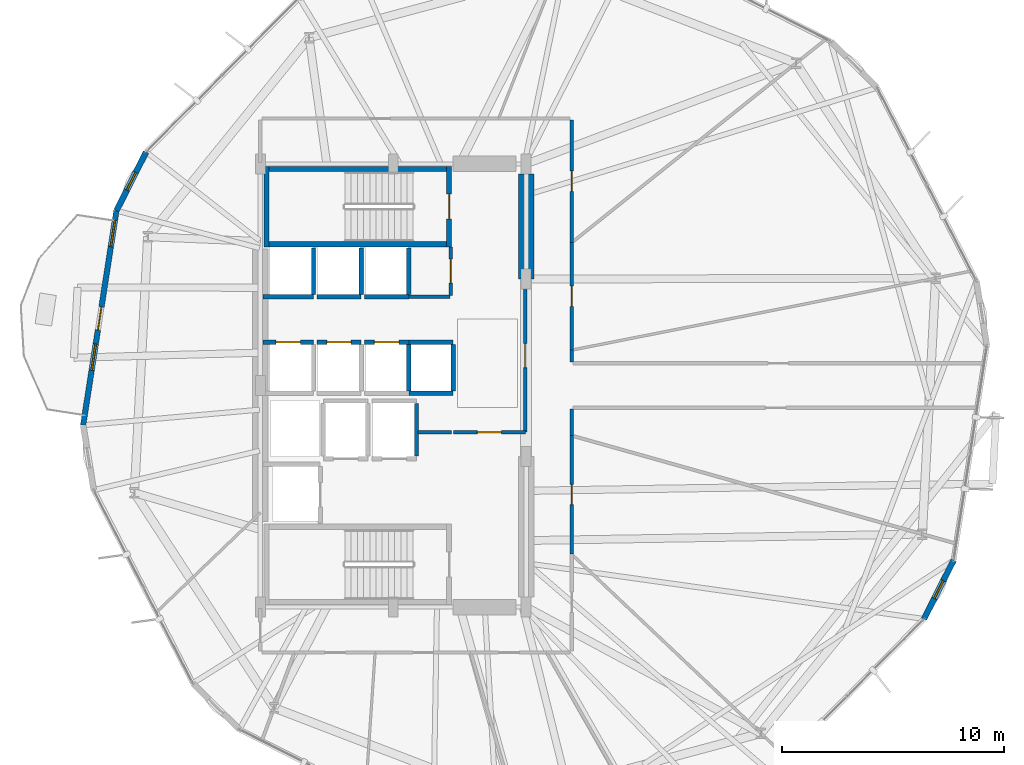
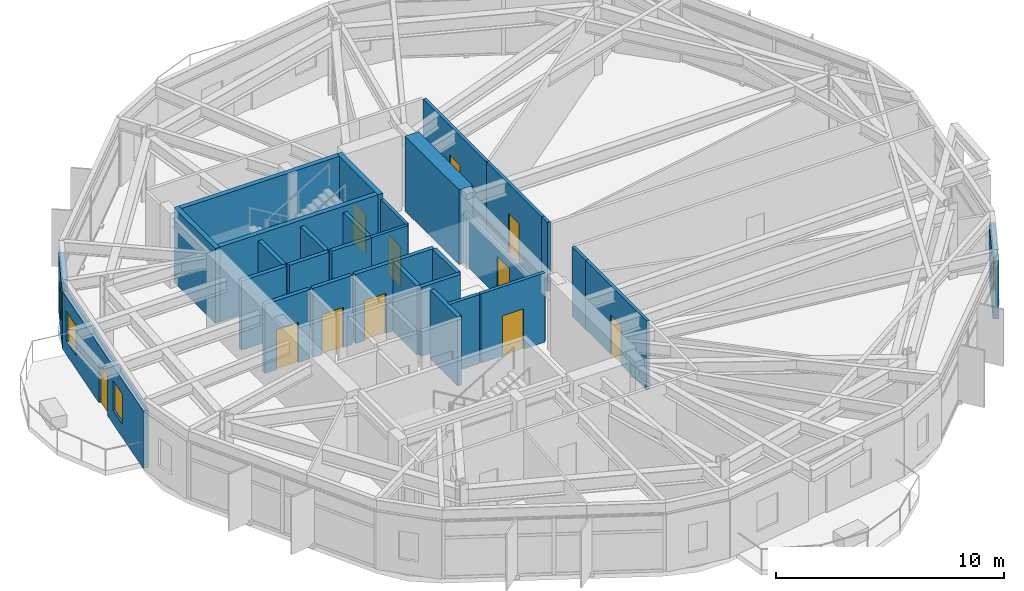
# One storey, part 19 of 23: 32 walls, 11 doors, 4 windows, 15 openings.
"""IFC4 building model written with IfcOpenShell, lengths in metres."""

import ifcopenshell
import ifcopenshell.guid

model = None  # the IFC model being written
_history = None  # IfcOwnerHistory: only IFC2X3 demands one
_inside = {}  # id of a spatial element -> (the spatial element, [elements in it])
_under = {}  # id of a project, library or spatial element -> (it, [spatial elements below it])
_declared = {}  # id of a project -> (the project, [libraries it declares])
_typed = {}  # id of a type object -> (the type object, [elements of that type])
_made_of = {}  # id of a material, layer set ... -> (it, [elements and type objects made of it])


def new_model(schema):
    """Start an empty IFC model of exactly this schema.

    Asked for "IFC4X3", IfcOpenShell would pick the latest addendum, in which some entities
    have other attributes; the version numbers below select the first issue.
    IFC2X3 requires an IfcOwnerHistory on every rooted entity: one is made here for all.
    """
    global model, _history
    if schema == "IFC4X3":
        model = ifcopenshell.file(schema_version=(4, 3, 0, 0))
    else:
        model = ifcopenshell.file(schema=schema)
    _inside.clear()
    _under.clear()
    _declared.clear()
    _typed.clear()
    _made_of.clear()
    _history = None
    if model.schema == "IFC2X3":
        org = make("IfcOrganization", Name="unknown")
        user = make(
            "IfcPersonAndOrganization",
            ThePerson=make("IfcPerson", FamilyName="unknown"),
            TheOrganization=org,
        )
        app = make(
            "IfcApplication",
            ApplicationDeveloper=org,
            Version="unknown",
            ApplicationFullName="unknown",
            ApplicationIdentifier="unknown",
        )
        _history = make(
            "IfcOwnerHistory",
            OwningUser=user,
            OwningApplication=app,
            ChangeAction="ADDED",
            CreationDate=0,
        )
    return model


def make(cls, **values):
    """One entity of the class cls with the attributes given. An attribute that is None is left unset."""
    return model.create_entity(
        cls, **{name: value for name, value in values.items() if value is not None}
    )


def rooted(cls, **values):
    """An entity with a GlobalId (a new one), such as an element, a storey or a relation."""
    return make(cls, GlobalId=ifcopenshell.guid.new(), OwnerHistory=_history, **values)


def si_unit(unit_type, name, prefix=None):
    """IfcSIUnit, for example si_unit("LENGTHUNIT", "METRE", prefix="MILLI")."""
    return make("IfcSIUnit", UnitType=unit_type, Prefix=prefix, Name=name)


def assignment(units):
    """IfcUnitAssignment: the units of a project."""
    return None if units is None else make("IfcUnitAssignment", Units=units)


def point(xyz):
    """IfcCartesianPoint."""
    return None if xyz is None else make("IfcCartesianPoint", Coordinates=xyz)


def direction(xyz):
    """IfcDirection."""
    return None if xyz is None else make("IfcDirection", DirectionRatios=xyz)


def frame(location, z_axis=None, x_axis=None):
    """IfcAxis2Placement3D, a coordinate frame: its origin and axes. An axis left out is left unset."""
    return make(
        "IfcAxis2Placement3D",
        Location=point(location),
        Axis=direction(z_axis),
        RefDirection=direction(x_axis),
    )


def frame_2d(location, x_axis=None):
    """IfcAxis2Placement2D, a coordinate frame in the plane: its origin and x axis."""
    return make(
        "IfcAxis2Placement2D", Location=point(location), RefDirection=direction(x_axis)
    )


def origin():
    """The frame at (0, 0, 0) with its axes left unset."""
    return frame((0.0, 0.0, 0.0))


def place(relative_to, where):
    """IfcLocalPlacement: puts the frame where relative to a parent placement (None: the world)."""
    return make(
        "IfcLocalPlacement", PlacementRelTo=relative_to, RelativePlacement=where
    )


def context(
    kind, dimensions, precision=None, world=None, true_north=None, identifier=None
):
    """IfcGeometricRepresentationContext, for example the 3D "Model" context."""
    return make(
        "IfcGeometricRepresentationContext",
        ContextIdentifier=identifier,
        ContextType=kind,
        CoordinateSpaceDimension=dimensions,
        Precision=precision,
        WorldCoordinateSystem=world,
        TrueNorth=true_north,
    )


def subcontext(parent, identifier, kind, view, scale=None):
    """IfcGeometricRepresentationSubContext, for example "Body" below "Model"."""
    return make(
        "IfcGeometricRepresentationSubContext",
        ContextIdentifier=identifier,
        ContextType=kind,
        ParentContext=parent,
        TargetScale=scale,
        TargetView=view,
    )


def project(units=None, contexts=None):
    """IfcProject with its units and contexts."""
    return rooted(
        "IfcProject",
        Name="project",
        RepresentationContexts=contexts,
        UnitsInContext=assignment(units),
    )


def spatial(cls, under=None, at=None, **own):
    """A site, building, storey or space (cls), placed at a placement, below another one or the project."""
    s = rooted(cls, ObjectPlacement=at, **own)
    if under is not None:
        _under.setdefault(under.id(), (under, []))[1].append(s)
    return s


def profile(cls, at=None, kind="AREA", **sizes):
    """A parametric profile (cls). Its sizes go by their IFC names, for example OverallWidth=200.0."""
    return make(cls, ProfileType=kind, Position=at, **sizes)


def rectangle(**sizes):
    """IfcRectangleProfileDef."""
    return profile("IfcRectangleProfileDef", **sizes)


def extrude(swept, where, along, depth):
    """IfcExtrudedAreaSolid: the profile swept, set in the frame where, extruded along a direction by depth."""
    return make(
        "IfcExtrudedAreaSolid",
        SweptArea=swept,
        Position=where,
        ExtrudedDirection=direction(along),
        Depth=depth,
    )


def shape(context_of_items, identifier, shape_type, items):
    """IfcShapeRepresentation: the items that make up one representation, for example the "Body"."""
    return make(
        "IfcShapeRepresentation",
        ContextOfItems=context_of_items,
        RepresentationIdentifier=identifier,
        RepresentationType=shape_type,
        Items=items,
    )


def material(Name=None, Category=None):
    """IfcMaterial."""
    return make("IfcMaterial", Name=Name, Category=Category)


def layer(
    of_material, thickness, ventilated=None, Name=None, Category=None, Priority=None
):
    """IfcMaterialLayer: one layer of a wall or slab, of a material (None: an air gap)."""
    return make(
        "IfcMaterialLayer",
        Material=of_material,
        LayerThickness=thickness,
        IsVentilated=ventilated,
        Name=Name,
        Category=Category,
        Priority=Priority,
    )


def layer_set(layers, Name=None):
    """IfcMaterialLayerSet."""
    return make("IfcMaterialLayerSet", MaterialLayers=layers, LayerSetName=Name)


def made_of(thing, what):
    """Note that an element or type object is made of a material, layer set ...; save() writes the relation."""
    if what is not None:
        _made_of.setdefault(what.id(), (what, []))[1].append(thing)
    return thing


def type_object(cls, material=None, **own):
    """A type object (cls), such as IfcWallType, which elements share."""
    return made_of(rooted(cls, **own), material)


def element(
    cls,
    number,
    at=None,
    inside=None,
    cuts=None,
    type_object=None,
    material=None,
    context=None,
    identifier="Body",
    shape_type=None,
    held_by="IfcProductDefinitionShape",
    body=None,
    shapes=None,
    **own,
):
    """One element of the class cls, such as IfcWall. Its Tag is "e" and its number.

    at: its placement. inside: the storey or other place that contains it. cuts: it is an
    opening in that element (IfcRelVoidsElement). A single representation is given by context,
    identifier, shape_type and body (its items); several are given by shapes. held_by: the class
    of the entity that holds the representations. save() writes the other relations.
    """
    e = rooted(cls, Tag="e%d" % number, ObjectPlacement=at, **own)
    if body is not None:
        shapes = [shape(context, identifier, shape_type, body)]
    if shapes is not None:
        e.Representation = make(held_by, Representations=shapes)
    if inside is not None:
        _inside.setdefault(inside.id(), (inside, []))[1].append(e)
    if cuts is not None:
        rooted(
            "IfcRelVoidsElement", RelatingBuildingElement=cuts, RelatedOpeningElement=e
        )
    if type_object is not None:
        _typed.setdefault(type_object.id(), (type_object, []))[1].append(e)
    return made_of(e, material)


def fill(opening, filler):
    """IfcRelFillsElement: the door or window that sits in an opening."""
    return rooted(
        "IfcRelFillsElement",
        RelatingOpeningElement=opening,
        RelatedBuildingElement=filler,
    )


def aggregate(whole, parts):
    """IfcRelAggregates: a whole, such as a stair, and the parts it consists of."""
    return rooted("IfcRelAggregates", RelatingObject=whole, RelatedObjects=parts)


def save(model, path):
    """Write the relations noted so far, then the file.

    IfcRelAggregates (storeys below a building ...), IfcRelContainedInSpatialStructure (elements
    in a storey), IfcRelDefinesByType, IfcRelAssociatesMaterial and IfcRelDeclares: one each for
    every whole, place, type object, material and project.
    """
    for whole, parts in _under.values():
        aggregate(whole, parts)
    for where, things in _inside.values():
        rooted(
            "IfcRelContainedInSpatialStructure",
            RelatedElements=things,
            RelatingStructure=where,
        )
    for kind, things in _typed.values():
        rooted("IfcRelDefinesByType", RelatedObjects=things, RelatingType=kind)
    for what, things in _made_of.values():
        rooted("IfcRelAssociatesMaterial", RelatedObjects=things, RelatingMaterial=what)
    for by, libraries in _declared.values():
        rooted("IfcRelDeclares", RelatingContext=by, RelatedDefinitions=libraries)
    model.write(path)


model = new_model("IFC4")

# Units and contexts
model_context = context("Model", 3, precision=1e-05, world=origin(), true_north=direction((0.0, 1.0)))
body_context = subcontext(model_context, "Body", "Model", "MODEL_VIEW")
ifc_project = project(units=[si_unit("LENGTHUNIT", "METRE"), si_unit("AREAUNIT", "SQUARE_METRE"), si_unit("VOLUMEUNIT", "CUBIC_METRE"), si_unit("PLANEANGLEUNIT", "RADIAN"), si_unit("MASSUNIT", "GRAM", prefix="KILO")], contexts=[model_context])

# Site, building, storey
site_placement = place(None, origin())
site = spatial("IfcSite", under=ifc_project, at=site_placement, CompositionType="ELEMENT")
building_placement = place(site_placement, origin())
building = spatial("IfcBuilding", under=site, at=building_placement, Name="Soratama Intermodal Tower", CompositionType="ELEMENT")
storey_placement = place(building_placement, frame((0.0, 0.0, 62.60009765625)))
storey = spatial("IfcBuildingStorey", under=building, at=storey_placement, Name="L14", CompositionType="ELEMENT", Elevation=62.60009765625)

# Wall, openings, door, windows
ifc_material_1 = material(Name="Concrete f'c 42 MPa", Category="concrete")
ifc_layer_1 = layer(ifc_material_1, 0.25)
ifc_layer_set_1 = layer_set([ifc_layer_1], Name="Concrete f'c 42 MPa")
wall_type_1 = type_object("IfcWallType", Name="EW-BAL-250", PredefinedType="SOLIDWALL", material=ifc_layer_set_1)
wall_1_placement = place(storey_placement, frame((26.105712890625, 32.890380859375, 0.0), z_axis=(0.0, 0.0, 1.0), x_axis=(-0.153311325357, -0.988177938186, 0.0)))
wall_1 = element("IfcWall", 1, at=wall_1_placement, inside=storey, type_object=wall_type_1, Name="L14 Terrace Wall F05", PredefinedType="SOLIDWALL", context=body_context, shape_type="SweptSolid", body=[
    extrude(rectangle(XDim=9.800048828125, YDim=0.25, at=frame_2d((4.89990234375, 0.0))), origin(), (0.0, 0.0, 1.0), 3.078857421875),
])
opening_1_placement = place(wall_1_placement, frame((4.39990234375, 0.0, 0.0)))
opening_1 = element("IfcOpeningElement", 2, at=opening_1_placement, cuts=wall_1, Name="Opening ED-5", PredefinedType="OPENING", context=body_context, shape_type="SweptSolid", body=[
    extrude(rectangle(XDim=1.050048828125, YDim=2.14990234375, at=frame_2d((0.52490234375, 1.074951171875))), frame((0.0, 0.135009765625, 0.0), z_axis=(0.0, -1.0, 0.0), x_axis=(1.0, 0.0, 0.0)), (0.0, 0.0, 1.0), 0.27001953125),
])
opening_2_placement = place(wall_1_placement, frame((0.43994140625, 0.0, 0.719970703125)))
opening_2 = element("IfcOpeningElement", 3, at=opening_2_placement, cuts=wall_1, Name="Opening WN-2", PredefinedType="OPENING", context=body_context, shape_type="SweptSolid", body=[
    extrude(rectangle(XDim=1.199951171875, YDim=1.60009765625, at=frame_2d((0.60009765625, 0.800048828125))), frame((0.0, 0.135009765625, 0.0), z_axis=(0.0, -1.0, 0.0), x_axis=(1.0, 0.0, 0.0)), (0.0, 0.0, 1.0), 0.27001953125),
])
opening_3_placement = place(wall_1_placement, frame((6.08984375, 0.0, 0.719970703125)))
opening_3 = element("IfcOpeningElement", 4, at=opening_3_placement, cuts=wall_1, Name="Opening WN-2", PredefinedType="OPENING", context=body_context, shape_type="SweptSolid", body=[
    extrude(rectangle(XDim=1.199951171875, YDim=1.60009765625, at=frame_2d((0.60009765625, 0.800048828125))), frame((0.0, 0.135009765625, 0.0), z_axis=(0.0, -1.0, 0.0), x_axis=(1.0, 0.0, 0.0)), (0.0, 0.0, 1.0), 0.27001953125),
])
ifc_material_2 = material(Name="Double-glazed aluminium door", Category="aluminium")
door_type_1 = type_object("IfcDoorType", Name="DR-BAL-1050", OperationType="NOTDEFINED", PredefinedType="DOOR", material=ifc_material_2)
door_1_placement = place(opening_1_placement, origin())
door_1 = element("IfcDoor", 5, at=door_1_placement, inside=storey, type_object=door_type_1, Name="L14 Balcony Door F05", OperationType="SINGLE_SWING_LEFT", OverallHeight=2.14990234375, OverallWidth=1.050048828125, PredefinedType="DOOR", context=body_context, shape_type="SweptSolid", body=[
    extrude(rectangle(XDim=1.050048828125, YDim=2.14990234375, at=frame_2d((0.52490234375, 1.074951171875))), frame((0.0, 0.02490234375, 0.0), z_axis=(0.0, -1.0, 0.0), x_axis=(1.0, 0.0, 0.0)), (0.0, 0.0, 1.0), 0.050048828125),
])
fill(opening_1, door_1)
ifc_material_3 = material(Name="Double-glazed aluminium window", Category="aluminium")
window_type_1 = type_object("IfcWindowType", Name="WN-FAC-1200", PartitioningType="SINGLE_PANEL", PredefinedType="WINDOW", material=ifc_material_3)
window_1_placement = place(opening_2_placement, origin())
window_1 = element("IfcWindow", 6, at=window_1_placement, inside=storey, type_object=window_type_1, Name="L14 Window A F05", OverallHeight=1.60009765625, OverallWidth=1.199951171875, PartitioningType="SINGLE_PANEL", PredefinedType="WINDOW", context=body_context, shape_type="SweptSolid", body=[
    extrude(rectangle(XDim=1.199951171875, YDim=1.60009765625, at=frame_2d((0.60009765625, 0.800048828125))), frame((0.0, 0.030029296875, 0.0), z_axis=(0.0, -1.0, 0.0), x_axis=(1.0, 0.0, 0.0)), (0.0, 0.0, 1.0), 0.06005859375),
])
fill(opening_2, window_1)
window_2_placement = place(opening_3_placement, origin())
window_2 = element("IfcWindow", 7, at=window_2_placement, inside=storey, type_object=window_type_1, Name="L14 Window B F05", OverallHeight=1.60009765625, OverallWidth=1.199951171875, PartitioningType="SINGLE_PANEL", PredefinedType="WINDOW", context=body_context, shape_type="SweptSolid", body=[
    extrude(rectangle(XDim=1.199951171875, YDim=1.60009765625, at=frame_2d((0.60009765625, 0.800048828125))), frame((0.0, 0.030029296875, 0.0), z_axis=(0.0, -1.0, 0.0), x_axis=(1.0, 0.0, 0.0)), (0.0, 0.0, 1.0), 0.06005859375),
])
fill(opening_3, window_2)

# Wall, opening, window
ifc_material_4 = material(Name="Concrete f'c 42 MPa", Category="concrete")
ifc_layer_2 = layer(ifc_material_4, 0.27001953125)
ifc_layer_set_2 = layer_set([ifc_layer_2], Name="Concrete f'c 42 MPa")
wall_type_2 = type_object("IfcWallType", Name="EW-CRN-270", PredefinedType="SOLIDWALL", material=ifc_layer_set_2)
wall_2_placement = place(storey_placement, frame((27.4443359375, 35.537841796875, 0.0), z_axis=(0.0, 0.0, 1.0), x_axis=(-0.451225097824, -0.892410169762, 0.0)))
wall_2 = element("IfcWall", 8, at=wall_2_placement, inside=storey, type_object=wall_type_2, Name="L14 Corner Closure Wall 04", PredefinedType="SOLIDWALL", context=body_context, shape_type="SweptSolid", body=[
    extrude(rectangle(XDim=2.966552734375, YDim=0.27001953125, at=frame_2d((1.4833984375, 0.0))), origin(), (0.0, 0.0, 1.0), 3.078857421875),
])
opening_4_placement = place(wall_2_placement, frame((1.033203125, 0.0, 0.75)))
opening_4 = element("IfcOpeningElement", 9, at=opening_4_placement, cuts=wall_2, Name="Opening WN-6", PredefinedType="OPENING", context=body_context, shape_type="SweptSolid", body=[
    extrude(rectangle(XDim=0.89990234375, YDim=1.5, at=frame_2d((0.449951171875, 0.75))), frame((0.0, 0.14501953125, 0.0), z_axis=(0.0, -1.0, 0.0), x_axis=(1.0, 0.0, 0.0)), (0.0, 0.0, 1.0), 0.2900390625),
])
ifc_material_5 = material(Name="Double-glazed aluminium window", Category="aluminium")
window_type_2 = type_object("IfcWindowType", Name="WN-FAC-900", PartitioningType="SINGLE_PANEL", PredefinedType="WINDOW", material=ifc_material_5)
window_3_placement = place(opening_4_placement, origin())
window_3 = element("IfcWindow", 10, at=window_3_placement, inside=storey, type_object=window_type_2, Name="L14 Corner Window 04", OverallHeight=1.5, OverallWidth=0.89990234375, PartitioningType="SINGLE_PANEL", PredefinedType="WINDOW", context=body_context, shape_type="SweptSolid", body=[
    extrude(rectangle(XDim=0.89990234375, YDim=1.5, at=frame_2d((0.449951171875, 0.75))), frame((0.0, 0.030029296875, 0.0), z_axis=(0.0, -1.0, 0.0), x_axis=(1.0, 0.0, 0.0)), (0.0, 0.0, 1.0), 0.06005859375),
])
fill(opening_4, window_3)

wall_3_placement = place(storey_placement, frame((62.5556640625, 14.462158203125, 0.0), z_axis=(0.0, 0.0, 1.0), x_axis=(0.451225097824, 0.892410169762, 0.0)))
wall_3 = element("IfcWall", 11, at=wall_3_placement, inside=storey, type_object=wall_type_2, Name="L14 Corner Closure Wall 09", PredefinedType="SOLIDWALL", context=body_context, shape_type="SweptSolid", body=[
    extrude(rectangle(XDim=2.966552734375, YDim=0.27001953125, at=frame_2d((1.4833984375, 0.0))), origin(), (0.0, 0.0, 1.0), 3.078857421875),
])
opening_5_placement = place(wall_3_placement, frame((1.033203125, 0.0, 0.75)))
opening_5 = element("IfcOpeningElement", 12, at=opening_5_placement, cuts=wall_3, Name="Opening WN-6", PredefinedType="OPENING", context=body_context, shape_type="SweptSolid", body=[
    extrude(rectangle(XDim=0.89990234375, YDim=1.5, at=frame_2d((0.449951171875, 0.75))), frame((0.0, 0.14501953125, 0.0), z_axis=(0.0, -1.0, 0.0), x_axis=(1.0, 0.0, 0.0)), (0.0, 0.0, 1.0), 0.2900390625),
])
window_4_placement = place(opening_5_placement, origin())
window_4 = element("IfcWindow", 13, at=window_4_placement, inside=storey, type_object=window_type_2, Name="L14 Corner Window 09", OverallHeight=1.5, OverallWidth=0.89990234375, PartitioningType="SINGLE_PANEL", PredefinedType="WINDOW", context=body_context, shape_type="SweptSolid", body=[
    extrude(rectangle(XDim=0.89990234375, YDim=1.5, at=frame_2d((0.449951171875, 0.75))), frame((0.0, 0.030029296875, 0.0), z_axis=(0.0, -1.0, 0.0), x_axis=(1.0, 0.0, 0.0)), (0.0, 0.0, 1.0), 0.06005859375),
])
fill(opening_5, window_4)

# Wall, opening, door
ifc_material_6 = material(Name="Fire-rated gypsum stud partition", Category="concrete")
ifc_layer_3 = layer(ifc_material_6, 0.14990234375)
ifc_layer_set_3 = layer_set([ifc_layer_3], Name="Fire-rated gypsum stud partition")
wall_type_3 = type_object("IfcWallType", Name="IW-PART-R150", PredefinedType="PARTITIONING", material=ifc_layer_set_3)
wall_4_placement = place(storey_placement, frame((44.56005859375, 29.800048828125, 0.0), z_axis=(0.0, 0.0, 1.0), x_axis=(0.0, -1.0, 0.0)))
wall_4 = element("IfcWall", 14, at=wall_4_placement, inside=storey, type_object=wall_type_3, Name="L14 Partition W-L14-TP011", PredefinedType="PARTITIONING", context=body_context, shape_type="SweptSolid", body=[
    extrude(rectangle(XDim=6.91015625, YDim=0.14990234375, at=frame_2d((3.455078125, 0.0))), origin(), (0.0, 0.0, 1.0), 2.739990234375),
])
opening_6_placement = place(wall_4_placement, frame((2.9150390625, 0.0, 0.0)))
opening_6 = element("IfcOpeningElement", 15, at=opening_6_placement, cuts=wall_4, Name="Opening ID-1", PredefinedType="OPENING", context=body_context, shape_type="SweptSolid", body=[
    extrude(rectangle(XDim=1.080078125, YDim=2.14990234375, at=frame_2d((0.5400390625, 1.074951171875))), frame((0.0, 0.0849609375, 0.0), z_axis=(0.0, -1.0, 0.0), x_axis=(1.0, 0.0, 0.0)), (0.0, 0.0, 1.0), 0.169921875),
])
ifc_material_7 = material(Name="Solid hardwood acoustic door", Category="wood")
door_type_2 = type_object("IfcDoorType", Name="DR-LOB-FD60", OperationType="NOTDEFINED", PredefinedType="DOOR", material=ifc_material_7)
door_2_placement = place(opening_6_placement, origin())
door_2 = element("IfcDoor", 16, at=door_2_placement, inside=storey, type_object=door_type_2, Name="L14 Door D-L14-TP004", OperationType="SINGLE_SWING_LEFT", OverallHeight=2.14990234375, OverallWidth=1.080078125, PredefinedType="DOOR", context=body_context, shape_type="SweptSolid", body=[
    extrude(rectangle(XDim=1.080078125, YDim=2.14990234375, at=frame_2d((0.5400390625, 1.074951171875))), frame((0.0, 0.02490234375, 0.0), z_axis=(0.0, -1.0, 0.0), x_axis=(1.0, 0.0, 0.0)), (0.0, 0.0, 1.0), 0.050048828125),
])
fill(opening_6, door_2)

wall_5_placement = place(storey_placement, frame((46.64990234375, 36.97998046875, 0.0), z_axis=(0.0, 0.0, 1.0), x_axis=(0.0, -1.0, 0.0)))
wall_5 = element("IfcWall", 17, at=wall_5_placement, inside=storey, type_object=wall_type_3, Name="L14 Partition W-L14-TP014", PredefinedType="PARTITIONING", context=body_context, shape_type="SweptSolid", body=[
    extrude(rectangle(XDim=5.5380859375, YDim=0.14990234375, at=frame_2d((2.76904296875, 0.0))), origin(), (0.0, 0.0, 1.0), 3.699951171875),
])
opening_7_placement = place(wall_5_placement, frame((2.2939453125, 0.0, 0.0)))
opening_7 = element("IfcOpeningElement", 18, at=opening_7_placement, cuts=wall_5, Name="Opening ID-6", PredefinedType="OPENING", context=body_context, shape_type="SweptSolid", body=[
    extrude(rectangle(XDim=0.919921875, YDim=2.1201171875, at=frame_2d((0.4599609375, 1.06005859375))), frame((0.0, 0.0849609375, 0.0), z_axis=(0.0, -1.0, 0.0), x_axis=(1.0, 0.0, 0.0)), (0.0, 0.0, 1.0), 0.169921875),
])
ifc_material_8 = material(Name="Solid hardwood acoustic door", Category="wood")
door_type_3 = type_object("IfcDoorType", Name="DR-ROOM-920", OperationType="NOTDEFINED", PredefinedType="DOOR", material=ifc_material_8)
door_3_placement = place(opening_7_placement, origin())
door_3 = element("IfcDoor", 19, at=door_3_placement, inside=storey, type_object=door_type_3, Name="L14 Door D-L14-TP005", OperationType="SINGLE_SWING_RIGHT", OverallHeight=2.1201171875, OverallWidth=0.919921875, PredefinedType="DOOR", context=body_context, shape_type="SweptSolid", body=[
    extrude(rectangle(XDim=0.919921875, YDim=2.1201171875, at=frame_2d((0.4599609375, 1.06005859375))), frame((0.0, 0.02490234375, 0.0), z_axis=(0.0, -1.0, 0.0), x_axis=(1.0, 0.0, 0.0)), (0.0, 0.0, 1.0), 0.050048828125),
])
fill(opening_7, door_3)

wall_6_placement = place(storey_placement, frame((46.64990234375, 22.738037109375, 0.0), z_axis=(0.0, 0.0, 1.0), x_axis=(0.0, -1.0, 0.0)))
wall_6 = element("IfcWall", 20, at=wall_6_placement, inside=storey, type_object=wall_type_3, Name="L14 Partition W-L14-TP015", PredefinedType="PARTITIONING", context=body_context, shape_type="SweptSolid", body=[
    extrude(rectangle(XDim=5.35302734375, YDim=0.14990234375, at=frame_2d((2.676513671875, 0.0))), origin(), (0.0, 0.0, 1.0), 3.699951171875),
])
opening_8_placement = place(wall_6_placement, frame((2.200927734375, 0.0, 0.0)))
opening_8 = element("IfcOpeningElement", 21, at=opening_8_placement, cuts=wall_6, Name="Opening ID-6", PredefinedType="OPENING", context=body_context, shape_type="SweptSolid", body=[
    extrude(rectangle(XDim=0.919921875, YDim=2.1201171875, at=frame_2d((0.4599609375, 1.06005859375))), frame((0.0, 0.0849609375, 0.0), z_axis=(0.0, -1.0, 0.0), x_axis=(1.0, 0.0, 0.0)), (0.0, 0.0, 1.0), 0.169921875),
])
door_4_placement = place(opening_8_placement, origin())
door_4 = element("IfcDoor", 22, at=door_4_placement, inside=storey, type_object=door_type_3, Name="L14 Door D-L14-TP006", OperationType="SINGLE_SWING_LEFT", OverallHeight=2.1201171875, OverallWidth=0.919921875, PredefinedType="DOOR", context=body_context, shape_type="SweptSolid", body=[
    extrude(rectangle(XDim=0.919921875, YDim=2.1201171875, at=frame_2d((0.4599609375, 1.06005859375))), frame((0.0, 0.02490234375, 0.0), z_axis=(0.0, -1.0, 0.0), x_axis=(1.0, 0.0, 0.0)), (0.0, 0.0, 1.0), 0.050048828125),
])
fill(opening_8, door_4)

wall_7_placement = place(storey_placement, frame((46.64990234375, 31.44189453125, 0.0), z_axis=(0.0, 0.0, 1.0), x_axis=(0.0, -1.0, 0.0)))
wall_7 = element("IfcWall", 23, at=wall_7_placement, inside=storey, type_object=wall_type_3, Name="L14 Partition W-L14-TP016", PredefinedType="PARTITIONING", context=body_context, shape_type="SweptSolid", body=[
    extrude(rectangle(XDim=4.848876953125, YDim=0.14990234375, at=frame_2d((2.42431640625, 0.0))), origin(), (0.0, 0.0, 1.0), 3.699951171875),
])
opening_9_placement = place(wall_7_placement, frame((1.949951171875, 0.0, 0.0)))
opening_9 = element("IfcOpeningElement", 24, at=opening_9_placement, cuts=wall_7, Name="Opening ID-6", PredefinedType="OPENING", context=body_context, shape_type="SweptSolid", body=[
    extrude(rectangle(XDim=0.919921875, YDim=2.1201171875, at=frame_2d((0.4599609375, 1.06005859375))), frame((0.0, 0.0849609375, 0.0), z_axis=(0.0, -1.0, 0.0), x_axis=(1.0, 0.0, 0.0)), (0.0, 0.0, 1.0), 0.169921875),
])
door_5_placement = place(opening_9_placement, origin())
door_5 = element("IfcDoor", 25, at=door_5_placement, inside=storey, type_object=door_type_3, Name="L14 Door D-L14-TP007", OperationType="SINGLE_SWING_RIGHT", OverallHeight=2.1201171875, OverallWidth=0.919921875, PredefinedType="DOOR", context=body_context, shape_type="SweptSolid", body=[
    extrude(rectangle(XDim=0.919921875, YDim=2.1201171875, at=frame_2d((0.4599609375, 1.06005859375))), frame((0.0, 0.02490234375, 0.0), z_axis=(0.0, -1.0, 0.0), x_axis=(1.0, 0.0, 0.0)), (0.0, 0.0, 1.0), 0.050048828125),
])
fill(opening_9, door_5)

wall_8_placement = place(storey_placement, frame((41.199951171875, 29.070068359375, 0.0), z_axis=(0.0, 0.0, 1.0), x_axis=(0.0, 1.0, 0.0)))
wall_8 = element("IfcWall", 26, at=wall_8_placement, inside=storey, type_object=wall_type_3, Name="L14 Partition W-L14-TP024", PredefinedType="PARTITIONING", context=body_context, shape_type="SweptSolid", body=[
    extrude(rectangle(XDim=2.18994140625, YDim=0.14990234375, at=frame_2d((1.094970703125, 0.0))), origin(), (0.0, 0.0, 1.0), 3.699951171875),
])
opening_10_placement = place(wall_8_placement, frame((0.554931640625, 0.0, 0.0)))
opening_10 = element("IfcOpeningElement", 27, at=opening_10_placement, cuts=wall_8, Name="Opening ID-1", PredefinedType="OPENING", context=body_context, shape_type="SweptSolid", body=[
    extrude(rectangle(XDim=1.080078125, YDim=2.14990234375, at=frame_2d((0.5400390625, 1.074951171875))), frame((0.0, 0.0849609375, 0.0), z_axis=(0.0, -1.0, 0.0), x_axis=(1.0, 0.0, 0.0)), (0.0, 0.0, 1.0), 0.169921875),
])
door_6_placement = place(opening_10_placement, origin())
door_6 = element("IfcDoor", 28, at=door_6_placement, inside=storey, type_object=door_type_2, Name="L14 Door D-L14-TP013", OperationType="SINGLE_SWING_RIGHT", OverallHeight=2.14990234375, OverallWidth=1.080078125, PredefinedType="DOOR", context=body_context, shape_type="SweptSolid", body=[
    extrude(rectangle(XDim=1.080078125, YDim=2.14990234375, at=frame_2d((0.5400390625, 1.074951171875))), frame((0.0, 0.02490234375, 0.0), z_axis=(0.0, -1.0, 0.0), x_axis=(1.0, 0.0, 0.0)), (0.0, 0.0, 1.0), 0.050048828125),
])
fill(opening_10, door_6)

# Walls
wall_9_placement = place(storey_placement, frame((39.300048828125, 29.010009765625, 0.0), z_axis=(0.0, 0.0, 1.0), x_axis=(1.0, 0.0, 0.0)))
element("IfcWall", 29, at=wall_9_placement, inside=storey, type_object=wall_type_3, Name="L14 Partition W-L14-TP027", PredefinedType="PARTITIONING", context=body_context, shape_type="SweptSolid", body=[
    extrude(rectangle(XDim=1.85986328125, YDim=0.14990234375, at=frame_2d((0.929931640625, 0.0))), origin(), (0.0, 0.0, 1.0), 3.699951171875),
])
wall_10_placement = place(storey_placement, frame((46.64990234375, 23.929931640625, 0.0), z_axis=(0.0, 0.0, 1.0), x_axis=(0.0, -1.0, 0.0)))
element("IfcWall", 30, at=wall_10_placement, inside=storey, type_object=wall_type_3, Name="L14 Partition W-L14-TP030", PredefinedType="PARTITIONING", context=body_context, shape_type="SweptSolid", body=[
    extrude(rectangle(XDim=1.19189453125, YDim=0.14990234375, at=frame_2d((0.595947265625, 0.0))), origin(), (0.0, 0.0, 1.0), 3.699951171875),
])
wall_11_placement = place(storey_placement, frame((46.64990234375, 26.593017578125, 0.0), z_axis=(0.0, 0.0, 1.0), x_axis=(0.0, -1.0, 0.0)))
element("IfcWall", 31, at=wall_11_placement, inside=storey, type_object=wall_type_3, Name="L14 Partition W-L14-TP032", PredefinedType="PARTITIONING", context=body_context, shape_type="SweptSolid", body=[
    extrude(rectangle(XDim=0.52294921875, YDim=0.14990234375, at=frame_2d((0.261474609375, 0.0))), origin(), (0.0, 0.0, 1.0), 3.699951171875),
])

# Wall, opening, door
ifc_material_9 = material(Name="Fire-rated gypsum stud partition", Category="concrete")
ifc_layer_4 = layer(ifc_material_9, 0.169921875)
ifc_layer_set_4 = layer_set([ifc_layer_4], Name="Fire-rated gypsum stud partition")
wall_type_4 = type_object("IfcWallType", Name="IW-PART-R170", PredefinedType="PARTITIONING", material=ifc_layer_set_4)
wall_12_placement = place(storey_placement, frame((41.320068359375, 22.889892578125, 0.0), z_axis=(0.0, 0.0, 1.0), x_axis=(1.0, 0.0, 0.0)))
wall_12 = element("IfcWall", 32, at=wall_12_placement, inside=storey, type_object=wall_type_4, Name="L14 Partition W-L14-TP022", PredefinedType="PARTITIONING", context=body_context, shape_type="SweptSolid", body=[
    extrude(rectangle(XDim=3.239990234375, YDim=0.169921875, at=frame_2d((1.6201171875, 0.0))), origin(), (0.0, 0.0, 1.0), 3.699951171875),
])
opening_11_placement = place(wall_12_placement, frame((1.080078125, 0.0, 0.0)))
opening_11 = element("IfcOpeningElement", 33, at=opening_11_placement, cuts=wall_12, Name="Opening ID-0", PredefinedType="OPENING", context=body_context, shape_type="SweptSolid", body=[
    extrude(rectangle(XDim=1.080078125, YDim=2.14990234375, at=frame_2d((0.5400390625, 1.074951171875))), frame((0.0, 0.094970703125, 0.0), z_axis=(0.0, -1.0, 0.0), x_axis=(1.0, 0.0, 0.0)), (0.0, 0.0, 1.0), 0.18994140625),
])
ifc_material_10 = material(Name="Solid hardwood acoustic door", Category="wood")
door_type_4 = type_object("IfcDoorType", Name="DR-LOB-FD90", OperationType="NOTDEFINED", PredefinedType="DOOR", material=ifc_material_10)
door_7_placement = place(opening_11_placement, origin())
door_7 = element("IfcDoor", 34, at=door_7_placement, inside=storey, type_object=door_type_4, Name="L14 Door D-L14-TP012", OperationType="SINGLE_SWING_LEFT", OverallHeight=2.14990234375, OverallWidth=1.080078125, PredefinedType="DOOR", context=body_context, shape_type="SweptSolid", body=[
    extrude(rectangle(XDim=1.080078125, YDim=2.14990234375, at=frame_2d((0.5400390625, 1.074951171875))), frame((0.0, 0.02490234375, 0.0), z_axis=(0.0, -1.0, 0.0), x_axis=(1.0, 0.0, 0.0)), (0.0, 0.0, 1.0), 0.050048828125),
])
fill(opening_11, door_7)

# Walls
wall_13_placement = place(storey_placement, frame((39.719970703125, 22.889892578125, 0.0), z_axis=(0.0, 0.0, 1.0), x_axis=(1.0, 0.0, 0.0)))
element("IfcWall", 35, at=wall_13_placement, inside=storey, type_object=wall_type_4, Name="L14 Partition W-L14-TP028", PredefinedType="PARTITIONING", context=body_context, shape_type="SweptSolid", body=[
    extrude(rectangle(XDim=1.52001953125, YDim=0.169921875, at=frame_2d((0.760009765625, 0.0))), origin(), (0.0, 0.0, 1.0), 3.699951171875),
])
ifc_material_11 = material(Name="Concrete f'c 42 MPa", Category="concrete")
ifc_layer_5 = layer(ifc_material_11, 0.199951171875)
ifc_layer_set_5 = layer_set([ifc_layer_5], Name="Concrete f'c 42 MPa")
wall_type_5 = type_object("IfcWallType", Name="IW-SHAFT-200", PredefinedType="SOLIDWALL", material=ifc_layer_set_5)
wall_14_placement = place(storey_placement, frame((39.64990234375, 21.81005859375, 0.0), z_axis=(0.0, 0.0, 1.0), x_axis=(0.0, 1.0, 0.0)))
element("IfcWall", 36, at=wall_14_placement, inside=storey, type_object=wall_type_5, Name="L14 FFL-2 Hoistway Wall E", PredefinedType="SOLIDWALL", context=body_context, shape_type="SweptSolid", body=[
    extrude(rectangle(XDim=2.3798828125, YDim=0.199951171875, at=frame_2d((1.18994140625, 0.0))), origin(), (0.0, 0.0, 1.0), 3.699951171875),
])

# Wall, opening, door
wall_15_placement = place(storey_placement, frame((32.719970703125, 26.949951171875, 0.0), z_axis=(0.0, 0.0, 1.0), x_axis=(1.0, 0.0, 0.0)))
wall_15 = element("IfcWall", 37, at=wall_15_placement, inside=storey, type_object=wall_type_5, Name="L14 PL-L1 Hoistway Wall N", PredefinedType="SOLIDWALL", context=body_context, shape_type="SweptSolid", body=[
    extrude(rectangle(XDim=2.280029296875, YDim=0.199951171875, at=frame_2d((1.14013671875, 0.0))), origin(), (0.0, 0.0, 1.0), 3.699951171875),
])
opening_12_placement = place(wall_15_placement, frame((0.590087890625, 0.0, 0.0)))
opening_12 = element("IfcOpeningElement", 38, at=opening_12_placement, cuts=wall_15, Name="Opening LD-1", PredefinedType="OPENING", context=body_context, shape_type="SweptSolid", body=[
    extrude(rectangle(XDim=1.10009765625, YDim=2.14990234375, at=frame_2d((0.550048828125, 1.074951171875))), frame((0.0, 0.10986328125, 0.0), z_axis=(0.0, -1.0, 0.0), x_axis=(1.0, 0.0, 0.0)), (0.0, 0.0, 1.0), 0.219970703125),
])
ifc_material_12 = material(Name="Steel fire door", Category="steel")
door_type_5 = type_object("IfcDoorType", Name="DR-LIFT-SLIDE", OperationType="NOTDEFINED", PredefinedType="DOOR", material=ifc_material_12)
door_8_placement = place(opening_12_placement, origin())
door_8 = element("IfcDoor", 39, at=door_8_placement, inside=storey, type_object=door_type_5, Name="L14 PL-L1 Sliding Landing Door", OperationType="SLIDING_TO_LEFT", OverallHeight=2.14990234375, OverallWidth=1.10009765625, PredefinedType="DOOR", context=body_context, shape_type="SweptSolid", body=[
    extrude(rectangle(XDim=1.10009765625, YDim=2.14990234375, at=frame_2d((0.550048828125, 1.074951171875))), frame((0.0, 0.02490234375, 0.0), z_axis=(0.0, -1.0, 0.0), x_axis=(1.0, 0.0, 0.0)), (0.0, 0.0, 1.0), 0.050048828125),
])
fill(opening_12, door_8)

wall_16_placement = place(storey_placement, frame((35.14990234375, 26.949951171875, 0.0), z_axis=(0.0, 0.0, 1.0), x_axis=(1.0, 0.0, 0.0)))
wall_16 = element("IfcWall", 40, at=wall_16_placement, inside=storey, type_object=wall_type_5, Name="L14 PL-L2 Hoistway Wall N", PredefinedType="SOLIDWALL", context=body_context, shape_type="SweptSolid", body=[
    extrude(rectangle(XDim=2.0, YDim=0.199951171875, at=frame_2d((1.0, 0.0))), origin(), (0.0, 0.0, 1.0), 3.699951171875),
])
opening_13_placement = place(wall_16_placement, frame((0.449951171875, 0.0, 0.0)))
opening_13 = element("IfcOpeningElement", 41, at=opening_13_placement, cuts=wall_16, Name="Opening LD-1", PredefinedType="OPENING", context=body_context, shape_type="SweptSolid", body=[
    extrude(rectangle(XDim=1.10009765625, YDim=2.14990234375, at=frame_2d((0.550048828125, 1.074951171875))), frame((0.0, 0.10986328125, 0.0), z_axis=(0.0, -1.0, 0.0), x_axis=(1.0, 0.0, 0.0)), (0.0, 0.0, 1.0), 0.219970703125),
])
door_9_placement = place(opening_13_placement, origin())
door_9 = element("IfcDoor", 42, at=door_9_placement, inside=storey, type_object=door_type_5, Name="L14 PL-L2 Sliding Landing Door", OperationType="SLIDING_TO_LEFT", OverallHeight=2.14990234375, OverallWidth=1.10009765625, PredefinedType="DOOR", context=body_context, shape_type="SweptSolid", body=[
    extrude(rectangle(XDim=1.10009765625, YDim=2.14990234375, at=frame_2d((0.550048828125, 1.074951171875))), frame((0.0, 0.02490234375, 0.0), z_axis=(0.0, -1.0, 0.0), x_axis=(1.0, 0.0, 0.0)), (0.0, 0.0, 1.0), 0.050048828125),
])
fill(opening_13, door_9)

wall_17_placement = place(storey_placement, frame((37.300048828125, 26.949951171875, 0.0), z_axis=(0.0, 0.0, 1.0), x_axis=(1.0, 0.0, 0.0)))
wall_17 = element("IfcWall", 43, at=wall_17_placement, inside=storey, type_object=wall_type_5, Name="L14 PL-L3 Hoistway Wall N", PredefinedType="SOLIDWALL", context=body_context, shape_type="SweptSolid", body=[
    extrude(rectangle(XDim=2.0, YDim=0.199951171875, at=frame_2d((1.0, 0.0))), origin(), (0.0, 0.0, 1.0), 3.699951171875),
])
opening_14_placement = place(wall_17_placement, frame((0.449951171875, 0.0, 0.0)))
opening_14 = element("IfcOpeningElement", 44, at=opening_14_placement, cuts=wall_17, Name="Opening LD-1", PredefinedType="OPENING", context=body_context, shape_type="SweptSolid", body=[
    extrude(rectangle(XDim=1.10009765625, YDim=2.14990234375, at=frame_2d((0.550048828125, 1.074951171875))), frame((0.0, 0.10986328125, 0.0), z_axis=(0.0, -1.0, 0.0), x_axis=(1.0, 0.0, 0.0)), (0.0, 0.0, 1.0), 0.219970703125),
])
door_10_placement = place(opening_14_placement, origin())
door_10 = element("IfcDoor", 45, at=door_10_placement, inside=storey, type_object=door_type_5, Name="L14 PL-L3 Sliding Landing Door", OperationType="SLIDING_TO_LEFT", OverallHeight=2.14990234375, OverallWidth=1.10009765625, PredefinedType="DOOR", context=body_context, shape_type="SweptSolid", body=[
    extrude(rectangle(XDim=1.10009765625, YDim=2.14990234375, at=frame_2d((0.550048828125, 1.074951171875))), frame((0.0, 0.02490234375, 0.0), z_axis=(0.0, -1.0, 0.0), x_axis=(1.0, 0.0, 0.0)), (0.0, 0.0, 1.0), 0.050048828125),
])
fill(opening_14, door_10)

# Walls
wall_18_placement = place(storey_placement, frame((39.300048828125, 24.760009765625, 0.0), z_axis=(0.0, 0.0, 1.0), x_axis=(0.0, 1.0, 0.0)))
element("IfcWall", 46, at=wall_18_placement, inside=storey, type_object=wall_type_5, Name="L14 PL-L3 Hoistway Wall E", PredefinedType="SOLIDWALL", context=body_context, shape_type="SweptSolid", body=[
    extrude(rectangle(XDim=2.080078125, YDim=0.199951171875, at=frame_2d((1.0400390625, 0.0))), origin(), (0.0, 0.0, 1.0), 3.699951171875),
])
for number, where, z_axis, x_axis, name in (
    (47, (39.300048828125, 24.64990234375, 0.0), (0.0, 0.0, 1.0), (1.0, 0.0, 0.0), "L14 PL-M1 Hoistway Wall S"),
    (48, (39.300048828125, 26.949951171875, 0.0), (0.0, 0.0, 1.0), (1.0, 0.0, 0.0), "L14 PL-M1 Hoistway Wall N"),
):
    element("IfcWall", number, at=place(storey_placement, frame(where, z_axis=z_axis, x_axis=x_axis)), inside=storey, type_object=wall_type_5, Name=name, PredefinedType="SOLIDWALL", context=body_context, shape_type="SweptSolid", body=[
        extrude(rectangle(XDim=2.0, YDim=0.199951171875, at=frame_2d((1.0, 0.0))), origin(), (0.0, 0.0, 1.0), 3.699951171875),
    ])
wall_19_placement = place(storey_placement, frame((41.300048828125, 24.760009765625, 0.0), z_axis=(0.0, 0.0, 1.0), x_axis=(0.0, 1.0, 0.0)))
element("IfcWall", 49, at=wall_19_placement, inside=storey, type_object=wall_type_5, Name="L14 PL-M1 Hoistway Wall E", PredefinedType="SOLIDWALL", context=body_context, shape_type="SweptSolid", body=[
    extrude(rectangle(XDim=2.080078125, YDim=0.199951171875, at=frame_2d((1.0400390625, 0.0))), origin(), (0.0, 0.0, 1.0), 3.699951171875),
])
wall_20_placement = place(storey_placement, frame((32.719970703125, 29.0, 0.0), z_axis=(0.0, 0.0, 1.0), x_axis=(1.0, 0.0, 0.0)))
element("IfcWall", 50, at=wall_20_placement, inside=storey, type_object=wall_type_5, Name="L14 PL-M2 Hoistway Wall S", PredefinedType="SOLIDWALL", context=body_context, shape_type="SweptSolid", body=[
    extrude(rectangle(XDim=2.280029296875, YDim=0.199951171875, at=frame_2d((1.14013671875, 0.0))), origin(), (0.0, 0.0, 1.0), 3.699951171875),
])
wall_21_placement = place(storey_placement, frame((35.0, 29.110107421875, 0.0), z_axis=(0.0, 0.0, 1.0), x_axis=(0.0, 1.0, 0.0)))
element("IfcWall", 51, at=wall_21_placement, inside=storey, type_object=wall_type_5, Name="L14 PL-M2 Hoistway Wall E", PredefinedType="SOLIDWALL", context=body_context, shape_type="SweptSolid", body=[
    extrude(rectangle(XDim=2.099853515625, YDim=0.199951171875, at=frame_2d((1.0498046875, 0.0))), origin(), (0.0, 0.0, 1.0), 3.699951171875),
])
wall_22_placement = place(storey_placement, frame((35.14990234375, 29.0, 0.0), z_axis=(0.0, 0.0, 1.0), x_axis=(1.0, 0.0, 0.0)))
element("IfcWall", 52, at=wall_22_placement, inside=storey, type_object=wall_type_5, Name="L14 PL-H1 Hoistway Wall S", PredefinedType="SOLIDWALL", context=body_context, shape_type="SweptSolid", body=[
    extrude(rectangle(XDim=2.0, YDim=0.199951171875, at=frame_2d((1.0, 0.0))), origin(), (0.0, 0.0, 1.0), 3.699951171875),
])
wall_23_placement = place(storey_placement, frame((37.14990234375, 29.110107421875, 0.0), z_axis=(0.0, 0.0, 1.0), x_axis=(0.0, 1.0, 0.0)))
element("IfcWall", 53, at=wall_23_placement, inside=storey, type_object=wall_type_5, Name="L14 PL-H1 Hoistway Wall E", PredefinedType="SOLIDWALL", context=body_context, shape_type="SweptSolid", body=[
    extrude(rectangle(XDim=2.099853515625, YDim=0.199951171875, at=frame_2d((1.0498046875, 0.0))), origin(), (0.0, 0.0, 1.0), 3.699951171875),
])
wall_24_placement = place(storey_placement, frame((37.300048828125, 29.0, 0.0), z_axis=(0.0, 0.0, 1.0), x_axis=(1.0, 0.0, 0.0)))
element("IfcWall", 54, at=wall_24_placement, inside=storey, type_object=wall_type_5, Name="L14 PL-H2 Hoistway Wall S", PredefinedType="SOLIDWALL", context=body_context, shape_type="SweptSolid", body=[
    extrude(rectangle(XDim=2.0, YDim=0.199951171875, at=frame_2d((1.0, 0.0))), origin(), (0.0, 0.0, 1.0), 3.699951171875),
])
wall_25_placement = place(storey_placement, frame((39.300048828125, 29.110107421875, 0.0), z_axis=(0.0, 0.0, 1.0), x_axis=(0.0, 1.0, 0.0)))
element("IfcWall", 55, at=wall_25_placement, inside=storey, type_object=wall_type_5, Name="L14 PL-H2 Hoistway Wall E", PredefinedType="SOLIDWALL", context=body_context, shape_type="SweptSolid", body=[
    extrude(rectangle(XDim=2.099853515625, YDim=0.199951171875, at=frame_2d((1.0498046875, 0.0))), origin(), (0.0, 0.0, 1.0), 3.699951171875),
])
ifc_material_13 = material(Name="Concrete f'c 56 MPa", Category="concrete")
ifc_layer_6 = layer(ifc_material_13, 0.699951171875)
ifc_layer_set_6 = layer_set([ifc_layer_6], Name="Concrete f'c 56 MPa")
wall_type_6 = type_object("IfcWallType", Name="SW-CORE-700", PredefinedType="SHEAR", material=ifc_layer_set_6)
wall_26_placement = place(storey_placement, frame((44.60009765625, 29.800048828125, 0.0), z_axis=(0.0, 0.0, 1.0), x_axis=(0.0, 1.0, 0.0)))
element("IfcWall", 56, at=wall_26_placement, inside=storey, type_object=wall_type_6, Name="L14 Core Shear Wall CW-EN", PredefinedType="SHEAR", context=body_context, shape_type="SweptSolid", body=[
    extrude(rectangle(XDim=4.75, YDim=0.699951171875, at=frame_2d((2.375, 0.0))), origin(), (0.0, 0.0, 1.0), 4.0),
])
ifc_material_14 = material(Name="Concrete f'c 56 MPa", Category="concrete")
ifc_layer_7 = layer(ifc_material_14, 0.239990234375)
ifc_layer_set_7 = layer_set([ifc_layer_7], Name="Concrete f'c 56 MPa")
wall_type_7 = type_object("IfcWallType", Name="SW-STAIR-240", PredefinedType="SHEAR", material=ifc_layer_set_7)
wall_27_placement = place(storey_placement, frame((32.8798828125, 31.260009765625, 0.0), z_axis=(0.0, 0.0, 1.0), x_axis=(0.0, 1.0, 0.0)))
element("IfcWall", 57, at=wall_27_placement, inside=storey, type_object=wall_type_7, Name="L14 ST-2 Shaft Shear Wall W", PredefinedType="SHEAR", context=body_context, shape_type="SweptSolid", body=[
    extrude(rectangle(XDim=3.6298828125, YDim=0.239990234375, at=frame_2d((1.81494140625, 0.0))), origin(), (0.0, 0.0, 1.0), 4.0),
])

# Wall, opening, door
wall_28_placement = place(storey_placement, frame((41.1201171875, 31.260009765625, 0.0), z_axis=(0.0, 0.0, 1.0), x_axis=(0.0, 1.0, 0.0)))
wall_28 = element("IfcWall", 58, at=wall_28_placement, inside=storey, type_object=wall_type_7, Name="L14 ST-2 Shaft Shear Wall E", PredefinedType="SHEAR", context=body_context, shape_type="SweptSolid", body=[
    extrude(rectangle(XDim=3.6298828125, YDim=0.239990234375, at=frame_2d((1.81494140625, 0.0))), origin(), (0.0, 0.0, 1.0), 4.0),
])
opening_15_placement = place(wall_28_placement, frame((1.2548828125, 0.0, 0.0)))
opening_15 = element("IfcOpeningElement", 59, at=opening_15_placement, cuts=wall_28, Name="Opening SD-1", PredefinedType="OPENING", context=body_context, shape_type="SweptSolid", body=[
    extrude(rectangle(XDim=1.1201171875, YDim=2.14990234375, at=frame_2d((0.56005859375, 1.074951171875))), frame((0.0, 0.1298828125, 0.0), z_axis=(0.0, -1.0, 0.0), x_axis=(1.0, 0.0, 0.0)), (0.0, 0.0, 1.0), 0.260009765625),
])
ifc_material_15 = material(Name="Steel fire door", Category="steel")
door_type_6 = type_object("IfcDoorType", Name="DR-STAIR-FD90", OperationType="NOTDEFINED", PredefinedType="DOOR", material=ifc_material_15)
door_11_placement = place(opening_15_placement, origin())
door_11 = element("IfcDoor", 60, at=door_11_placement, inside=storey, type_object=door_type_6, Name="L14 ST-2 Exit Stair Door", OperationType="SINGLE_SWING_RIGHT", OverallHeight=2.14990234375, OverallWidth=1.1201171875, PredefinedType="DOOR", context=body_context, shape_type="SweptSolid", body=[
    extrude(rectangle(XDim=1.1201171875, YDim=2.14990234375, at=frame_2d((0.56005859375, 1.074951171875))), frame((0.0, 0.02490234375, 0.0), z_axis=(0.0, -1.0, 0.0), x_axis=(1.0, 0.0, 0.0)), (0.0, 0.0, 1.0), 0.050048828125),
])
fill(opening_15, door_11)

# Walls
for number, where, z_axis, x_axis, name in (
    (61, (33.0, 31.3798828125, 0.0), (0.0, 0.0, 1.0), (1.0, 0.0, 0.0), "L14 ST-2 Shaft Shear Wall S"),
    (62, (33.0, 34.77001953125, 0.0), (0.0, 0.0, 1.0), (1.0, 0.0, 0.0), "L14 ST-2 Shaft Shear Wall N"),
):
    element("IfcWall", number, at=place(storey_placement, frame(where, z_axis=z_axis, x_axis=x_axis)), inside=storey, type_object=wall_type_7, Name=name, PredefinedType="SHEAR", context=body_context, shape_type="SweptSolid", body=[
        extrude(rectangle(XDim=8.0, YDim=0.239990234375, at=frame_2d((4.0, 0.0))), origin(), (0.0, 0.0, 1.0), 4.0),
    ])

save(model, "model.ifc")
